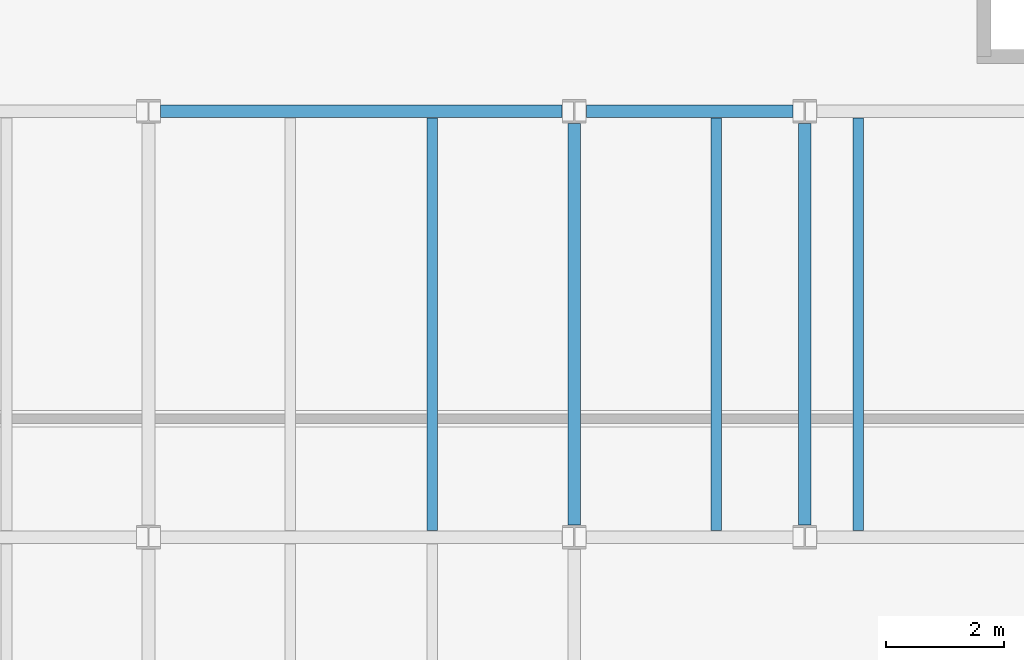
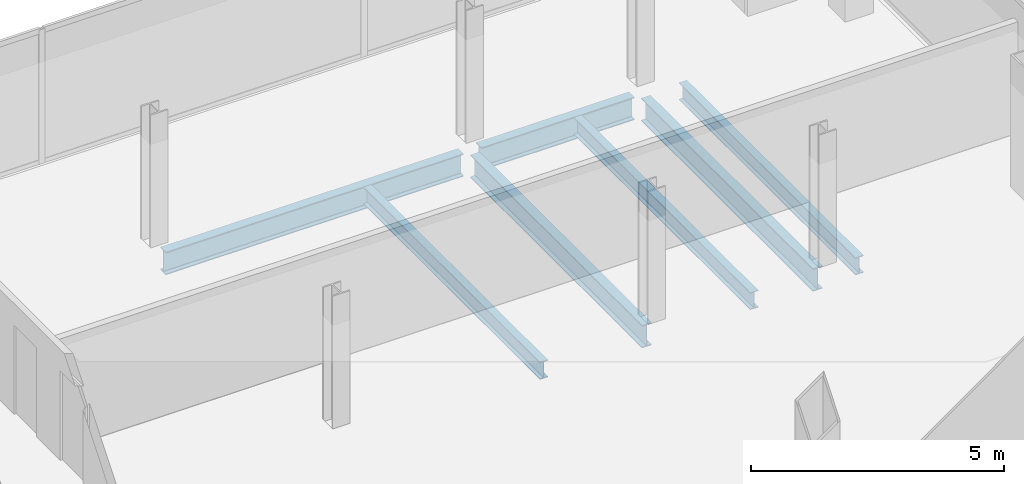
# One storey, part 15 of 23: 7 beams.
"""IFC4 building model written with IfcOpenShell, lengths in metres."""

import ifcopenshell
import ifcopenshell.guid

model = None  # the IFC model being written
_history = None  # IfcOwnerHistory: only IFC2X3 demands one
_inside = {}  # id of a spatial element -> (the spatial element, [elements in it])
_under = {}  # id of a project, library or spatial element -> (it, [spatial elements below it])
_declared = {}  # id of a project -> (the project, [libraries it declares])
_typed = {}  # id of a type object -> (the type object, [elements of that type])
_made_of = {}  # id of a material, layer set ... -> (it, [elements and type objects made of it])


def new_model(schema):
    """Start an empty IFC model of exactly this schema.

    Asked for "IFC4X3", IfcOpenShell would pick the latest addendum, in which some entities
    have other attributes; the version numbers below select the first issue.
    IFC2X3 requires an IfcOwnerHistory on every rooted entity: one is made here for all.
    """
    global model, _history
    if schema == "IFC4X3":
        model = ifcopenshell.file(schema_version=(4, 3, 0, 0))
    else:
        model = ifcopenshell.file(schema=schema)
    _inside.clear()
    _under.clear()
    _declared.clear()
    _typed.clear()
    _made_of.clear()
    _history = None
    if model.schema == "IFC2X3":
        org = make("IfcOrganization", Name="unknown")
        user = make(
            "IfcPersonAndOrganization",
            ThePerson=make("IfcPerson", FamilyName="unknown"),
            TheOrganization=org,
        )
        app = make(
            "IfcApplication",
            ApplicationDeveloper=org,
            Version="unknown",
            ApplicationFullName="unknown",
            ApplicationIdentifier="unknown",
        )
        _history = make(
            "IfcOwnerHistory",
            OwningUser=user,
            OwningApplication=app,
            ChangeAction="ADDED",
            CreationDate=0,
        )
    return model


def make(cls, **values):
    """One entity of the class cls with the attributes given. An attribute that is None is left unset."""
    return model.create_entity(
        cls, **{name: value for name, value in values.items() if value is not None}
    )


def rooted(cls, **values):
    """An entity with a GlobalId (a new one), such as an element, a storey or a relation."""
    return make(cls, GlobalId=ifcopenshell.guid.new(), OwnerHistory=_history, **values)


def si_unit(unit_type, name, prefix=None):
    """IfcSIUnit, for example si_unit("LENGTHUNIT", "METRE", prefix="MILLI")."""
    return make("IfcSIUnit", UnitType=unit_type, Prefix=prefix, Name=name)


def assignment(units):
    """IfcUnitAssignment: the units of a project."""
    return None if units is None else make("IfcUnitAssignment", Units=units)


def point(xyz):
    """IfcCartesianPoint."""
    return None if xyz is None else make("IfcCartesianPoint", Coordinates=xyz)


def direction(xyz):
    """IfcDirection."""
    return None if xyz is None else make("IfcDirection", DirectionRatios=xyz)


def frame(location, z_axis=None, x_axis=None):
    """IfcAxis2Placement3D, a coordinate frame: its origin and axes. An axis left out is left unset."""
    return make(
        "IfcAxis2Placement3D",
        Location=point(location),
        Axis=direction(z_axis),
        RefDirection=direction(x_axis),
    )


def frame_2d(location, x_axis=None):
    """IfcAxis2Placement2D, a coordinate frame in the plane: its origin and x axis."""
    return make(
        "IfcAxis2Placement2D", Location=point(location), RefDirection=direction(x_axis)
    )


def origin():
    """The frame at (0, 0, 0) with its axes left unset."""
    return frame((0.0, 0.0, 0.0))


def origin_2d():
    """The frame at (0, 0) in the plane with its x axis left unset."""
    return frame_2d((0.0, 0.0))


def place(relative_to, where):
    """IfcLocalPlacement: puts the frame where relative to a parent placement (None: the world)."""
    return make(
        "IfcLocalPlacement", PlacementRelTo=relative_to, RelativePlacement=where
    )


def context(
    kind, dimensions, precision=None, world=None, true_north=None, identifier=None
):
    """IfcGeometricRepresentationContext, for example the 3D "Model" context."""
    return make(
        "IfcGeometricRepresentationContext",
        ContextIdentifier=identifier,
        ContextType=kind,
        CoordinateSpaceDimension=dimensions,
        Precision=precision,
        WorldCoordinateSystem=world,
        TrueNorth=true_north,
    )


def subcontext(parent, identifier, kind, view, scale=None):
    """IfcGeometricRepresentationSubContext, for example "Body" below "Model"."""
    return make(
        "IfcGeometricRepresentationSubContext",
        ContextIdentifier=identifier,
        ContextType=kind,
        ParentContext=parent,
        TargetScale=scale,
        TargetView=view,
    )


def project(units=None, contexts=None):
    """IfcProject with its units and contexts."""
    return rooted(
        "IfcProject",
        Name="project",
        RepresentationContexts=contexts,
        UnitsInContext=assignment(units),
    )


def spatial(cls, under=None, at=None, **own):
    """A site, building, storey or space (cls), placed at a placement, below another one or the project."""
    s = rooted(cls, ObjectPlacement=at, **own)
    if under is not None:
        _under.setdefault(under.id(), (under, []))[1].append(s)
    return s


def profile(cls, at=None, kind="AREA", **sizes):
    """A parametric profile (cls). Its sizes go by their IFC names, for example OverallWidth=200.0."""
    return make(cls, ProfileType=kind, Position=at, **sizes)


def i_section(**sizes):
    """IfcIShapeProfileDef."""
    return profile("IfcIShapeProfileDef", **sizes)


def extrude(swept, where, along, depth):
    """IfcExtrudedAreaSolid: the profile swept, set in the frame where, extruded along a direction by depth."""
    return make(
        "IfcExtrudedAreaSolid",
        SweptArea=swept,
        Position=where,
        ExtrudedDirection=direction(along),
        Depth=depth,
    )


def shape(context_of_items, identifier, shape_type, items):
    """IfcShapeRepresentation: the items that make up one representation, for example the "Body"."""
    return make(
        "IfcShapeRepresentation",
        ContextOfItems=context_of_items,
        RepresentationIdentifier=identifier,
        RepresentationType=shape_type,
        Items=items,
    )


def material(Name=None, Category=None):
    """IfcMaterial."""
    return make("IfcMaterial", Name=Name, Category=Category)


def material_profile(
    of_material, cross_section, Name=None, Category=None, Priority=None
):
    """IfcMaterialProfile: a cross section and its material."""
    return make(
        "IfcMaterialProfile",
        Name=Name,
        Material=of_material,
        Profile=cross_section,
        Priority=Priority,
        Category=Category,
    )


def profile_set(profiles, Name=None, composite=None):
    """IfcMaterialProfileSet."""
    return make(
        "IfcMaterialProfileSet",
        Name=Name,
        MaterialProfiles=profiles,
        CompositeProfile=composite,
    )


def made_of(thing, what):
    """Note that an element or type object is made of a material, layer set ...; save() writes the relation."""
    if what is not None:
        _made_of.setdefault(what.id(), (what, []))[1].append(thing)
    return thing


def type_object(cls, material=None, **own):
    """A type object (cls), such as IfcWallType, which elements share."""
    return made_of(rooted(cls, **own), material)


def element(
    cls,
    number,
    at=None,
    inside=None,
    cuts=None,
    type_object=None,
    material=None,
    context=None,
    identifier="Body",
    shape_type=None,
    held_by="IfcProductDefinitionShape",
    body=None,
    shapes=None,
    **own,
):
    """One element of the class cls, such as IfcWall. Its Tag is "e" and its number.

    at: its placement. inside: the storey or other place that contains it. cuts: it is an
    opening in that element (IfcRelVoidsElement). A single representation is given by context,
    identifier, shape_type and body (its items); several are given by shapes. held_by: the class
    of the entity that holds the representations. save() writes the other relations.
    """
    e = rooted(cls, Tag="e%d" % number, ObjectPlacement=at, **own)
    if body is not None:
        shapes = [shape(context, identifier, shape_type, body)]
    if shapes is not None:
        e.Representation = make(held_by, Representations=shapes)
    if inside is not None:
        _inside.setdefault(inside.id(), (inside, []))[1].append(e)
    if cuts is not None:
        rooted(
            "IfcRelVoidsElement", RelatingBuildingElement=cuts, RelatedOpeningElement=e
        )
    if type_object is not None:
        _typed.setdefault(type_object.id(), (type_object, []))[1].append(e)
    return made_of(e, material)


def aggregate(whole, parts):
    """IfcRelAggregates: a whole, such as a stair, and the parts it consists of."""
    return rooted("IfcRelAggregates", RelatingObject=whole, RelatedObjects=parts)


def save(model, path):
    """Write the relations noted so far, then the file.

    IfcRelAggregates (storeys below a building ...), IfcRelContainedInSpatialStructure (elements
    in a storey), IfcRelDefinesByType, IfcRelAssociatesMaterial and IfcRelDeclares: one each for
    every whole, place, type object, material and project.
    """
    for whole, parts in _under.values():
        aggregate(whole, parts)
    for where, things in _inside.values():
        rooted(
            "IfcRelContainedInSpatialStructure",
            RelatedElements=things,
            RelatingStructure=where,
        )
    for kind, things in _typed.values():
        rooted("IfcRelDefinesByType", RelatedObjects=things, RelatingType=kind)
    for what, things in _made_of.values():
        rooted("IfcRelAssociatesMaterial", RelatedObjects=things, RelatingMaterial=what)
    for by, libraries in _declared.values():
        rooted("IfcRelDeclares", RelatingContext=by, RelatedDefinitions=libraries)
    model.write(path)


model = new_model("IFC4")

# Units and contexts
model_context = context("Model", 3, precision=1e-05, world=origin(), true_north=direction((0.0, 1.0)))
body_context = subcontext(model_context, "Body", "Model", "MODEL_VIEW")
ifc_project = project(units=[si_unit("LENGTHUNIT", "METRE"), si_unit("AREAUNIT", "SQUARE_METRE"), si_unit("VOLUMEUNIT", "CUBIC_METRE"), si_unit("PLANEANGLEUNIT", "RADIAN"), si_unit("MASSUNIT", "GRAM", prefix="KILO")], contexts=[model_context])

# Site, building, storey
site_placement = place(None, origin())
site = spatial("IfcSite", under=ifc_project, at=site_placement, CompositionType="ELEMENT")
building_placement = place(site_placement, origin())
building = spatial("IfcBuilding", under=site, at=building_placement, Name="Cobrela Telecom Tower", CompositionType="ELEMENT")
storey_placement = place(building_placement, frame((0.0, 0.0, 251.64990234375)))
storey = spatial("IfcBuildingStorey", under=building, at=storey_placement, Name="L65", CompositionType="ELEMENT", Elevation=251.64990234375)

# Beams
ifc_material = material(Name="Steel ASTM A992 Grade 50", Category="steel")
ifc_material_profile_1 = material_profile(ifc_material, i_section(OverallWidth=0.212890625, OverallDepth=0.549072265625, WebThickness=0.0146484375, FlangeThickness=0.023681640625, FilletRadius=0.013916015625, at=origin_2d()), Name="W21X93")
ifc_profile_set_1 = profile_set([ifc_material_profile_1], Name="Steel ASTM A992 Grade 50")
beam_type_1 = type_object("IfcBeamType", Name="BM-GIRD-08", PredefinedType="USERDEFINED", material=ifc_profile_set_1)
beam_1_placement = place(storey_placement, frame((29.00439453125, 21.60009765625, -0.534423828125), z_axis=(1.0, 0.0, 0.0), x_axis=(0.0, 1.0, 0.0)))
element("IfcBeam", 1, at=beam_1_placement, inside=storey, type_object=beam_type_1, Name="L65 Primary Girder X12", ObjectType="GIRDER", PredefinedType="USERDEFINED", context=body_context, shape_type="SweptSolid", body=[
    extrude(i_section(OverallWidth=0.212890625, OverallDepth=0.549072265625, WebThickness=0.0146484375, FlangeThickness=0.023681640625, FilletRadius=0.013916015625, at=origin_2d()), origin(), (0.0, 0.0, 1.0), 6.791015625),
])
beam_2_placement = place(storey_placement, frame((36.20458984375, 21.60009765625, -0.534423828125), z_axis=(1.0, 0.0, 0.0), x_axis=(0.0, 1.0, 0.0)))
element("IfcBeam", 2, at=beam_2_placement, inside=storey, type_object=beam_type_1, Name="L65 Primary Girder X13", ObjectType="GIRDER", PredefinedType="USERDEFINED", context=body_context, shape_type="SweptSolid", body=[
    extrude(i_section(OverallWidth=0.212890625, OverallDepth=0.549072265625, WebThickness=0.0146484375, FlangeThickness=0.023681640625, FilletRadius=0.013916015625, at=origin_2d()), origin(), (0.0, 0.0, 1.0), 3.490966796875),
])
for number, where, z_axis, x_axis, name in (
    (3, (36.0, 14.6044921875, -0.534423828125), (0.0, 1.0, 0.0), (-1.0, 0.0, 0.0), "L65 Primary Girder Y32"),
    (4, (39.89990234375, 14.6044921875, -0.534423828125), (0.0, 1.0, 0.0), (-1.0, 0.0, 0.0), "L65 Primary Girder Y33"),
):
    element("IfcBeam", number, at=place(storey_placement, frame(where, z_axis=z_axis, x_axis=x_axis)), inside=storey, type_object=beam_type_1, Name=name, ObjectType="GIRDER", PredefinedType="USERDEFINED", context=body_context, shape_type="SweptSolid", body=[
        extrude(i_section(OverallWidth=0.212890625, OverallDepth=0.549072265625, WebThickness=0.0146484375, FlangeThickness=0.023681640625, FilletRadius=0.013916015625, at=origin_2d()), origin(), (0.0, 0.0, 1.0), 6.791015625),
    ])
ifc_material_profile_2 = material_profile(ifc_material, i_section(OverallWidth=0.179931640625, OverallDepth=0.4169921875, WebThickness=0.010986328125, FlangeThickness=0.01806640625, FilletRadius=0.011962890625, at=origin_2d()), Name="W16X57")
ifc_profile_set_2 = profile_set([ifc_material_profile_2], Name="Steel ASTM A992 Grade 50")
beam_type_2 = type_object("IfcBeamType", Name="BM-JOIST-04", PredefinedType="JOIST", material=ifc_profile_set_2)
for number, where, z_axis, x_axis, name in (
    (5, (33.60009765625, 14.511474609375, -0.468505859375), (0.0, 1.0, 0.0), (-1.0, 0.0, 0.0), "L65 Secondary Composite Floor Beam J14"),
    (6, (38.39990234375, 14.511474609375, -0.468505859375), (0.0, 1.0, 0.0), (-1.0, 0.0, 0.0), "L65 Secondary Composite Floor Beam J15"),
    (7, (40.800048828125, 14.511474609375, -0.468505859375), (0.0, 1.0, 0.0), (-1.0, 0.0, 0.0), "L65 Secondary Composite Floor Beam J16"),
):
    element("IfcBeam", number, at=place(storey_placement, frame(where, z_axis=z_axis, x_axis=x_axis)), inside=storey, type_object=beam_type_2, Name=name, PredefinedType="JOIST", context=body_context, shape_type="SweptSolid", body=[
        extrude(i_section(OverallWidth=0.179931640625, OverallDepth=0.4169921875, WebThickness=0.010986328125, FlangeThickness=0.01806640625, FilletRadius=0.011962890625, at=origin_2d()), origin(), (0.0, 0.0, 1.0), 6.97705078125),
    ])

save(model, "model.ifc")
